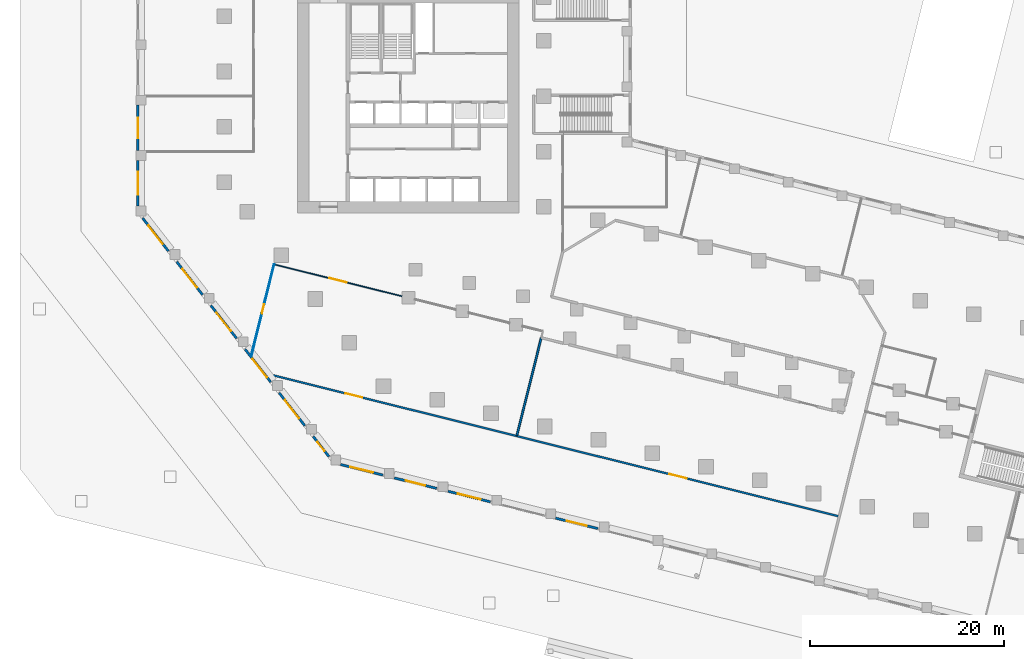
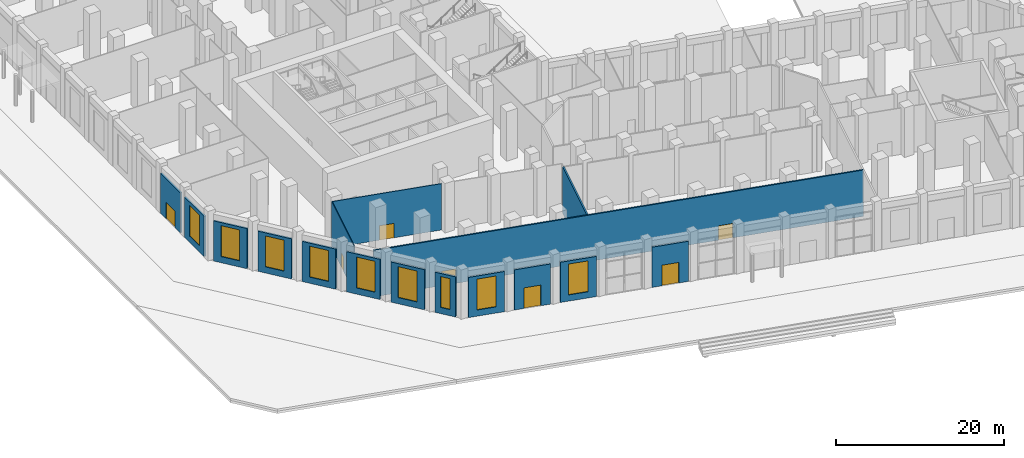
# One storey, part 11 of 27: 16 walls, 9 windows, 7 doors, 16 openings.
"""IFC4 building model written with IfcOpenShell, lengths in metres."""

from ifc_helpers import new_model, si_unit, direction, frame, frame_2d, origin, place, context, subcontext, project, spatial, rectangle, extrude, material, layer, layer_set, type_object, element, fill, save


model = new_model("IFC4")

# Units and contexts
model_context = context("Model", 3, precision=1e-05, world=origin(), true_north=direction((0.0, 1.0)))
body_context = subcontext(model_context, "Body", "Model", "MODEL_VIEW")
ifc_project = project(units=[si_unit("LENGTHUNIT", "METRE"), si_unit("AREAUNIT", "SQUARE_METRE"), si_unit("VOLUMEUNIT", "CUBIC_METRE"), si_unit("PLANEANGLEUNIT", "RADIAN"), si_unit("MASSUNIT", "GRAM", prefix="KILO")], contexts=[model_context])

# Site, building, storey
site_placement = place(None, origin())
site = spatial("IfcSite", under=ifc_project, at=site_placement, CompositionType="ELEMENT")
building_placement = place(site_placement, origin())
building = spatial("IfcBuilding", under=site, at=building_placement, Name="Meshkara Civic Tower", CompositionType="ELEMENT")
storey_placement = place(building_placement, origin())
storey = spatial("IfcBuildingStorey", under=building, at=storey_placement, Name="L00", CompositionType="ELEMENT", Elevation=0.0)

# Wall, opening, door
ifc_material_1 = material(Name="Corridor wall 100")
ifc_layer_1 = layer(ifc_material_1, 0.10009765625)
ifc_layer_set_1 = layer_set([ifc_layer_1], Name="Corridor wall 100")
wall_type_1 = type_object("IfcWallType", Name="Corridor wall 100", PredefinedType="PARTITIONING", material=ifc_layer_set_1)
wall_1_placement = place(storey_placement, frame((3.2626953125, -0.55712890625, 0.0), z_axis=(0.0, 0.0, 1.0), x_axis=(0.241845159871, 0.970314855419, 0.0)))
wall_1 = element("IfcWall", 1, at=wall_1_placement, inside=storey, type_object=wall_type_1, Name="L00-R005", PredefinedType="PARTITIONING", context=body_context, shape_type="SweptSolid", body=[
    extrude(rectangle(XDim=9.65185546875, YDim=0.10009765625, at=frame_2d((4.825927734375, 0.0))), origin(), (0.0, 0.0, 1.0), 6.75),
])
opening_1_placement = place(wall_1_placement, frame((4.443115234375, 0.0, 0.0)))
opening_1 = element("IfcOpeningElement", 2, at=opening_1_placement, cuts=wall_1, Name="Opening L00-P012", PredefinedType="OPENING", context=body_context, shape_type="SweptSolid", body=[
    extrude(rectangle(XDim=1.0, YDim=2.10009765625, at=frame_2d((0.5, 1.050048828125))), frame((0.0, 0.06005859375, 0.0), z_axis=(0.0, -1.0, 0.0), x_axis=(1.0, 0.0, 0.0)), (0.0, 0.0, 1.0), 0.1201171875),
])
ifc_material_2 = material(Name="Door 1000 x 2100")
door_type_1 = type_object("IfcDoorType", Name="Door 1000 x 2100", OperationType="SINGLE_SWING_LEFT", PredefinedType="DOOR", material=ifc_material_2)
door_1_placement = place(opening_1_placement, origin())
door_1 = element("IfcDoor", 3, at=door_1_placement, inside=storey, type_object=door_type_1, Name="L00-P012", OperationType="SINGLE_SWING_RIGHT", OverallHeight=2.10009765625, OverallWidth=1.0, PredefinedType="DOOR", context=body_context, shape_type="SweptSolid", body=[
    extrude(rectangle(XDim=1.0, YDim=2.10009765625, at=frame_2d((0.5, 1.050048828125))), frame((0.0, 0.02490234375, 0.0), z_axis=(0.0, -1.0, 0.0), x_axis=(1.0, 0.0, 0.0)), (0.0, 0.0, 1.0), 0.050048828125),
])
fill(opening_1, door_1)

wall_2_placement = place(storey_placement, frame((5.596923828125, 8.80810546875, 0.0), z_axis=(0.0, 0.0, 1.0), x_axis=(0.97028530919, -0.241963672417, 0.0)))
wall_2 = element("IfcWall", 4, at=wall_2_placement, inside=storey, type_object=wall_type_1, Name="L00-R008", PredefinedType="PARTITIONING", context=body_context, shape_type="SweptSolid", body=[
    extrude(rectangle(XDim=13.559814453125, YDim=0.10009765625, at=frame_2d((6.77978515625, 0.0))), origin(), (0.0, 0.0, 1.0), 6.75),
])
opening_2_placement = place(wall_2_placement, frame((5.8798828125, 0.0, 0.0)))
opening_2 = element("IfcOpeningElement", 5, at=opening_2_placement, cuts=wall_2, Name="Opening L00-P014", PredefinedType="OPENING", context=body_context, shape_type="SweptSolid", body=[
    extrude(rectangle(XDim=1.800048828125, YDim=2.10009765625, at=frame_2d((0.89990234375, 1.050048828125))), frame((0.0, 0.06005859375, 0.0), z_axis=(0.0, -1.0, 0.0), x_axis=(1.0, 0.0, 0.0)), (0.0, 0.0, 1.0), 0.1201171875),
])
ifc_material_3 = material(Name="Door pair 1800 x 2100")
door_type_2 = type_object("IfcDoorType", Name="Door pair 1800 x 2100", OperationType="SINGLE_SWING_LEFT", PredefinedType="DOOR", material=ifc_material_3)
door_2_placement = place(opening_2_placement, origin())
door_2 = element("IfcDoor", 6, at=door_2_placement, inside=storey, type_object=door_type_2, Name="L00-P014", OperationType="DOUBLE_DOOR_SINGLE_SWING", OverallHeight=2.10009765625, OverallWidth=1.800048828125, PredefinedType="DOOR", context=body_context, shape_type="SweptSolid", body=[
    extrude(rectangle(XDim=1.800048828125, YDim=2.10009765625, at=frame_2d((0.89990234375, 1.050048828125))), frame((0.0, 0.02490234375, 0.0), z_axis=(0.0, -1.0, 0.0), x_axis=(1.0, 0.0, 0.0)), (0.0, 0.0, 1.0), 0.050048828125),
])
fill(opening_2, door_2)

# Wall, openings, doors
ifc_material_4 = material(Name="Fire-rated wall 200")
ifc_layer_2 = layer(ifc_material_4, 0.199951171875)
ifc_layer_set_2 = layer_set([ifc_layer_2], Name="Fire-rated wall 200")
wall_type_2 = type_object("IfcWallType", Name="Fire-rated wall 200", PredefinedType="PARTITIONING", material=ifc_layer_set_2)
wall_3_placement = place(storey_placement, frame((4.7900390625, -2.430908203125, 0.0), z_axis=(0.0, 0.0, 1.0), x_axis=(0.970295457836, -0.241922972253, 0.0)))
wall_3 = element("IfcWall", 7, at=wall_3_placement, inside=storey, type_object=wall_type_2, Name="L00-R086", PredefinedType="PARTITIONING", context=body_context, shape_type="SweptSolid", body=[
    extrude(rectangle(XDim=60.763916015625, YDim=0.199951171875, at=frame_2d((30.3818359375, 0.0))), origin(), (0.0, 0.0, 1.0), 6.75),
])
opening_3_placement = place(wall_3_placement, frame((42.763916015625, 0.0, 0.0)))
opening_3 = element("IfcOpeningElement", 8, at=opening_3_placement, cuts=wall_3, Name="Opening L00-P002", PredefinedType="OPENING", context=body_context, shape_type="SweptSolid", body=[
    extrude(rectangle(XDim=1.800048828125, YDim=2.10009765625, at=frame_2d((0.89990234375, 1.050048828125))), frame((0.0, 0.10986328125, 0.0), z_axis=(0.0, -1.0, 0.0), x_axis=(1.0, 0.0, 0.0)), (0.0, 0.0, 1.0), 0.219970703125),
])
opening_4_placement = place(wall_3_placement, frame((8.39697265625, 0.0, 0.0)))
opening_4 = element("IfcOpeningElement", 9, at=opening_4_placement, cuts=wall_3, Name="Opening L00-P007", PredefinedType="OPENING", context=body_context, shape_type="SweptSolid", body=[
    extrude(rectangle(XDim=1.800048828125, YDim=2.10009765625, at=frame_2d((0.89990234375, 1.050048828125))), frame((0.0, 0.10986328125, 0.0), z_axis=(0.0, -1.0, 0.0), x_axis=(1.0, 0.0, 0.0)), (0.0, 0.0, 1.0), 0.219970703125),
])
door_3_placement = place(opening_3_placement, origin())
door_3 = element("IfcDoor", 10, at=door_3_placement, inside=storey, type_object=door_type_2, Name="L00-P002", OperationType="DOUBLE_DOOR_SINGLE_SWING", OverallHeight=2.10009765625, OverallWidth=1.800048828125, PredefinedType="DOOR", context=body_context, shape_type="SweptSolid", body=[
    extrude(rectangle(XDim=1.800048828125, YDim=2.10009765625, at=frame_2d((0.89990234375, 1.050048828125))), frame((0.0, 0.02490234375, 0.0), z_axis=(0.0, -1.0, 0.0), x_axis=(1.0, 0.0, 0.0)), (0.0, 0.0, 1.0), 0.050048828125),
])
fill(opening_3, door_3)
door_4_placement = place(opening_4_placement, origin())
door_4 = element("IfcDoor", 11, at=door_4_placement, inside=storey, type_object=door_type_2, Name="L00-P007", OperationType="DOUBLE_DOOR_SINGLE_SWING", OverallHeight=2.10009765625, OverallWidth=1.800048828125, PredefinedType="DOOR", context=body_context, shape_type="SweptSolid", body=[
    extrude(rectangle(XDim=1.800048828125, YDim=2.10009765625, at=frame_2d((0.89990234375, 1.050048828125))), frame((0.0, 0.02490234375, 0.0), z_axis=(0.0, -1.0, 0.0), x_axis=(1.0, 0.0, 0.0)), (0.0, 0.0, 1.0), 0.050048828125),
])
fill(opening_4, door_4)

# Wall
wall_4_placement = place(storey_placement, frame((33.089111328125, 1.26611328125, 0.0), z_axis=(0.0, 0.0, 1.0), x_axis=(-0.241960178305, -0.970286180523, 0.0)))
element("IfcWall", 12, at=wall_4_placement, inside=storey, type_object=wall_type_2, Name="L00-R100", PredefinedType="PARTITIONING", context=body_context, shape_type="SweptSolid", body=[
    extrude(rectangle(XDim=10.3828125, YDim=0.199951171875, at=frame_2d((5.19140625, 0.0))), origin(), (0.0, 0.0, 1.0), 6.75),
])

# Wall, opening, door
ifc_material_5 = material(Name="Stone cladding on insulated backing wall", Category="masonry")
ifc_layer_3 = layer(ifc_material_5, 0.25)
ifc_layer_set_3 = layer_set([ifc_layer_3], Name="PODIUM STONE WALL 250")
wall_type_3 = type_object("IfcWallType", Name="PODIUM STONE WALL 250", PredefinedType="SOLIDWALL", material=ifc_layer_set_3)
wall_5_placement = place(storey_placement, frame((-8.425048828125, 25.2109375, 0.0), z_axis=(0.0, 0.0, 1.0), x_axis=(0.0, -1.0, 0.0)))
wall_5 = element("IfcWall", 13, at=wall_5_placement, inside=storey, type_object=wall_type_3, Name="Podium external wall", PredefinedType="SOLIDWALL", context=body_context, shape_type="SweptSolid", body=[
    extrude(rectangle(XDim=4.699951171875, YDim=0.25, at=frame_2d((2.35009765625, 0.0))), origin(), (0.0, 0.0, 1.0), 5.85009765625),
])
opening_5_placement = place(wall_5_placement, frame((1.300048828125, 0.0, 0.0)))
opening_5 = element("IfcOpeningElement", 14, at=opening_5_placement, cuts=wall_5, Name="Opening L00-G008", PredefinedType="OPENING", context=body_context, shape_type="SweptSolid", body=[
    extrude(rectangle(XDim=2.10009765625, YDim=2.39990234375, at=frame_2d((1.050048828125, 1.199951171875))), frame((0.0, 0.135009765625, 0.0), z_axis=(0.0, -1.0, 0.0), x_axis=(1.0, 0.0, 0.0)), (0.0, 0.0, 1.0), 0.27001953125),
])
ifc_material_6 = material(Name="Steel S355", Category="steel")
door_type_3 = type_object("IfcDoorType", Name="EXIT DOOR PAIR 2100x2400", OperationType="DOUBLE_DOOR_DOUBLE_SWING", PredefinedType="DOOR", material=ifc_material_6)
door_5_placement = place(opening_5_placement, origin())
door_5 = element("IfcDoor", 15, at=door_5_placement, inside=storey, type_object=door_type_3, Name="L00-G008", OperationType="DOUBLE_DOOR_DOUBLE_SWING", OverallHeight=2.39990234375, OverallWidth=2.10009765625, PredefinedType="DOOR", context=body_context, shape_type="SweptSolid", body=[
    extrude(rectangle(XDim=2.10009765625, YDim=2.39990234375, at=frame_2d((1.050048828125, 1.199951171875))), frame((0.0, 0.02490234375, 0.0), z_axis=(0.0, -1.0, 0.0), x_axis=(1.0, 0.0, 0.0)), (0.0, 0.0, 1.0), 0.050048828125),
])
fill(opening_5, door_5)

# Wall, opening, window
wall_6_placement = place(storey_placement, frame((-8.425048828125, 19.510986328125, 0.0), z_axis=(0.0, 0.0, 1.0), x_axis=(0.0, -1.0, 0.0)))
wall_6 = element("IfcWall", 16, at=wall_6_placement, inside=storey, type_object=wall_type_3, Name="Podium external wall", PredefinedType="SOLIDWALL", context=body_context, shape_type="SweptSolid", body=[
    extrude(rectangle(XDim=4.699951171875, YDim=0.25, at=frame_2d((2.35009765625, 0.0))), origin(), (0.0, 0.0, 1.0), 5.85009765625),
])
opening_6_placement = place(wall_6_placement, frame((1.14990234375, 0.0, 0.89990234375)))
opening_6 = element("IfcOpeningElement", 17, at=opening_6_placement, cuts=wall_6, Name="Opening PW1", PredefinedType="OPENING", context=body_context, shape_type="SweptSolid", body=[
    extrude(rectangle(XDim=2.39990234375, YDim=4.5, at=frame_2d((1.199951171875, 2.25))), frame((0.0, 0.135009765625, 0.0), z_axis=(0.0, -1.0, 0.0), x_axis=(1.0, 0.0, 0.0)), (0.0, 0.0, 1.0), 0.27001953125),
])
ifc_material_7 = material(Name="Tinted double glazing", Category="glass")
window_type_1 = type_object("IfcWindowType", Name="PODIUM WINDOW 2400x4500", PartitioningType="DOUBLE_PANEL_VERTICAL", PredefinedType="WINDOW", material=ifc_material_7)
window_1_placement = place(opening_6_placement, origin())
window_1 = element("IfcWindow", 18, at=window_1_placement, inside=storey, type_object=window_type_1, Name="Podium window", OverallHeight=4.5, OverallWidth=2.39990234375, PartitioningType="DOUBLE_PANEL_VERTICAL", PredefinedType="WINDOW", context=body_context, shape_type="SweptSolid", body=[
    extrude(rectangle(XDim=2.39990234375, YDim=4.5, at=frame_2d((1.199951171875, 2.25))), frame((0.0, 0.030029296875, 0.0), z_axis=(0.0, -1.0, 0.0), x_axis=(1.0, 0.0, 0.0)), (0.0, 0.0, 1.0), 0.06005859375),
])
fill(opening_6, window_1)

wall_7_placement = place(storey_placement, frame((-7.924072265625, 13.55810546875, 0.0), z_axis=(0.0, 0.0, 1.0), x_axis=(0.615603242749, -0.788056246417, 0.0)))
wall_7 = element("IfcWall", 19, at=wall_7_placement, inside=storey, type_object=wall_type_3, Name="Podium external wall", PredefinedType="SOLIDWALL", context=body_context, shape_type="SweptSolid", body=[
    extrude(rectangle(XDim=4.296630859375, YDim=0.25, at=frame_2d((2.1484375, 0.0))), origin(), (0.0, 0.0, 1.0), 5.85009765625),
])
opening_7_placement = place(wall_7_placement, frame((0.947998046875, 0.0, 0.89990234375)))
opening_7 = element("IfcOpeningElement", 20, at=opening_7_placement, cuts=wall_7, Name="Opening PW1", PredefinedType="OPENING", context=body_context, shape_type="SweptSolid", body=[
    extrude(rectangle(XDim=2.39990234375, YDim=4.5, at=frame_2d((1.199951171875, 2.25))), frame((0.0, 0.135009765625, 0.0), z_axis=(0.0, -1.0, 0.0), x_axis=(1.0, 0.0, 0.0)), (0.0, 0.0, 1.0), 0.27001953125),
])
window_2_placement = place(opening_7_placement, origin())
window_2 = element("IfcWindow", 21, at=window_2_placement, inside=storey, type_object=window_type_1, Name="Podium window", OverallHeight=4.5, OverallWidth=2.39990234375, PartitioningType="DOUBLE_PANEL_VERTICAL", PredefinedType="WINDOW", context=body_context, shape_type="SweptSolid", body=[
    extrude(rectangle(XDim=2.39990234375, YDim=4.5, at=frame_2d((1.199951171875, 2.25))), frame((0.0, 0.030029296875, 0.0), z_axis=(0.0, -1.0, 0.0), x_axis=(1.0, 0.0, 0.0)), (0.0, 0.0, 1.0), 0.06005859375),
])
fill(opening_7, window_2)

wall_8_placement = place(storey_placement, frame((-4.4150390625, 9.06591796875, 0.0), z_axis=(0.0, 0.0, 1.0), x_axis=(0.615713519567, -0.787970089421, 0.0)))
wall_8 = element("IfcWall", 22, at=wall_8_placement, inside=storey, type_object=wall_type_3, Name="Podium external wall", PredefinedType="SOLIDWALL", context=body_context, shape_type="SweptSolid", body=[
    extrude(rectangle(XDim=4.2958984375, YDim=0.25, at=frame_2d((2.14794921875, 0.0))), origin(), (0.0, 0.0, 1.0), 5.85009765625),
])
opening_8_placement = place(wall_8_placement, frame((0.947998046875, 0.0, 0.89990234375)))
opening_8 = element("IfcOpeningElement", 23, at=opening_8_placement, cuts=wall_8, Name="Opening PW1", PredefinedType="OPENING", context=body_context, shape_type="SweptSolid", body=[
    extrude(rectangle(XDim=2.39990234375, YDim=4.5, at=frame_2d((1.199951171875, 2.25))), frame((0.0, 0.135009765625, 0.0), z_axis=(0.0, -1.0, 0.0), x_axis=(1.0, 0.0, 0.0)), (0.0, 0.0, 1.0), 0.27001953125),
])
window_3_placement = place(opening_8_placement, origin())
window_3 = element("IfcWindow", 24, at=window_3_placement, inside=storey, type_object=window_type_1, Name="Podium window", OverallHeight=4.5, OverallWidth=2.39990234375, PartitioningType="DOUBLE_PANEL_VERTICAL", PredefinedType="WINDOW", context=body_context, shape_type="SweptSolid", body=[
    extrude(rectangle(XDim=2.39990234375, YDim=4.5, at=frame_2d((1.199951171875, 2.25))), frame((0.0, 0.030029296875, 0.0), z_axis=(0.0, -1.0, 0.0), x_axis=(1.0, 0.0, 0.0)), (0.0, 0.0, 1.0), 0.06005859375),
])
fill(opening_8, window_3)

wall_9_placement = place(storey_placement, frame((-0.906005859375, 4.574951171875, 0.0), z_axis=(0.0, 0.0, 1.0), x_axis=(0.61574436495, -0.787945986113, 0.0)))
wall_9 = element("IfcWall", 25, at=wall_9_placement, inside=storey, type_object=wall_type_3, Name="Podium external wall", PredefinedType="SOLIDWALL", context=body_context, shape_type="SweptSolid", body=[
    extrude(rectangle(XDim=4.297119140625, YDim=0.25, at=frame_2d((2.1484375, 0.0))), origin(), (0.0, 0.0, 1.0), 5.85009765625),
])
opening_9_placement = place(wall_9_placement, frame((0.948974609375, 0.0, 0.89990234375)))
opening_9 = element("IfcOpeningElement", 26, at=opening_9_placement, cuts=wall_9, Name="Opening PW1", PredefinedType="OPENING", context=body_context, shape_type="SweptSolid", body=[
    extrude(rectangle(XDim=2.39990234375, YDim=4.5, at=frame_2d((1.199951171875, 2.25))), frame((0.0, 0.135009765625, 0.0), z_axis=(0.0, -1.0, 0.0), x_axis=(1.0, 0.0, 0.0)), (0.0, 0.0, 1.0), 0.27001953125),
])
window_4_placement = place(opening_9_placement, origin())
window_4 = element("IfcWindow", 27, at=window_4_placement, inside=storey, type_object=window_type_1, Name="Podium window", OverallHeight=4.5, OverallWidth=2.39990234375, PartitioningType="DOUBLE_PANEL_VERTICAL", PredefinedType="WINDOW", context=body_context, shape_type="SweptSolid", body=[
    extrude(rectangle(XDim=2.39990234375, YDim=4.5, at=frame_2d((1.199951171875, 2.25))), frame((0.0, 0.030029296875, 0.0), z_axis=(0.0, -1.0, 0.0), x_axis=(1.0, 0.0, 0.0)), (0.0, 0.0, 1.0), 0.06005859375),
])
fill(opening_9, window_4)

wall_10_placement = place(storey_placement, frame((2.60400390625, 0.0830078125, 0.0), z_axis=(0.0, 0.0, 1.0), x_axis=(0.615603242749, -0.788056246417, 0.0)))
wall_10 = element("IfcWall", 28, at=wall_10_placement, inside=storey, type_object=wall_type_3, Name="Podium external wall", PredefinedType="SOLIDWALL", context=body_context, shape_type="SweptSolid", body=[
    extrude(rectangle(XDim=4.296630859375, YDim=0.25, at=frame_2d((2.1484375, 0.0))), origin(), (0.0, 0.0, 1.0), 5.85009765625),
])
opening_10_placement = place(wall_10_placement, frame((1.283935546875, 0.0, 0.89990234375)))
opening_10 = element("IfcOpeningElement", 29, at=opening_10_placement, cuts=wall_10, Name="Opening PW1", PredefinedType="OPENING", context=body_context, shape_type="SweptSolid", body=[
    extrude(rectangle(XDim=2.39990234375, YDim=4.5, at=frame_2d((1.199951171875, 2.25))), frame((0.0, 0.135009765625, 0.0), z_axis=(0.0, -1.0, 0.0), x_axis=(1.0, 0.0, 0.0)), (0.0, 0.0, 1.0), 0.27001953125),
])
window_5_placement = place(opening_10_placement, origin())
window_5 = element("IfcWindow", 30, at=window_5_placement, inside=storey, type_object=window_type_1, Name="Podium window", OverallHeight=4.5, OverallWidth=2.39990234375, PartitioningType="DOUBLE_PANEL_VERTICAL", PredefinedType="WINDOW", context=body_context, shape_type="SweptSolid", body=[
    extrude(rectangle(XDim=2.39990234375, YDim=4.5, at=frame_2d((1.199951171875, 2.25))), frame((0.0, 0.030029296875, 0.0), z_axis=(0.0, -1.0, 0.0), x_axis=(1.0, 0.0, 0.0)), (0.0, 0.0, 1.0), 0.06005859375),
])
fill(opening_10, window_5)

wall_11_placement = place(storey_placement, frame((6.113037109375, -4.408935546875, 0.0), z_axis=(0.0, 0.0, 1.0), x_axis=(0.615603242749, -0.788056246417, 0.0)))
wall_11 = element("IfcWall", 31, at=wall_11_placement, inside=storey, type_object=wall_type_3, Name="Podium external wall", PredefinedType="SOLIDWALL", context=body_context, shape_type="SweptSolid", body=[
    extrude(rectangle(XDim=4.296630859375, YDim=0.25, at=frame_2d((2.1484375, 0.0))), origin(), (0.0, 0.0, 1.0), 5.85009765625),
])
opening_11_placement = place(wall_11_placement, frame((0.947998046875, 0.0, 0.89990234375)))
opening_11 = element("IfcOpeningElement", 32, at=opening_11_placement, cuts=wall_11, Name="Opening PW1", PredefinedType="OPENING", context=body_context, shape_type="SweptSolid", body=[
    extrude(rectangle(XDim=2.39990234375, YDim=4.5, at=frame_2d((1.199951171875, 2.25))), frame((0.0, 0.135009765625, 0.0), z_axis=(0.0, -1.0, 0.0), x_axis=(1.0, 0.0, 0.0)), (0.0, 0.0, 1.0), 0.27001953125),
])
window_6_placement = place(opening_11_placement, origin())
window_6 = element("IfcWindow", 33, at=window_6_placement, inside=storey, type_object=window_type_1, Name="Podium window", OverallHeight=4.5, OverallWidth=2.39990234375, PartitioningType="DOUBLE_PANEL_VERTICAL", PredefinedType="WINDOW", context=body_context, shape_type="SweptSolid", body=[
    extrude(rectangle(XDim=2.39990234375, YDim=4.5, at=frame_2d((1.199951171875, 2.25))), frame((0.0, 0.030029296875, 0.0), z_axis=(0.0, -1.0, 0.0), x_axis=(1.0, 0.0, 0.0)), (0.0, 0.0, 1.0), 0.06005859375),
])
fill(opening_11, window_6)

wall_12_placement = place(storey_placement, frame((9.6220703125, -8.90087890625, 0.0), z_axis=(0.0, 0.0, 1.0), x_axis=(0.615703609525, -0.787977832948, 0.0)))
wall_12 = element("IfcWall", 34, at=wall_12_placement, inside=storey, type_object=wall_type_3, Name="Podium external wall", PredefinedType="SOLIDWALL", context=body_context, shape_type="SweptSolid", body=[
    extrude(rectangle(XDim=2.62451171875, YDim=0.25, at=frame_2d((1.312255859375, 0.0))), origin(), (0.0, 0.0, 1.0), 5.85009765625),
])
opening_12_placement = place(wall_12_placement, frame((0.7119140625, 0.0, 0.89990234375)))
opening_12 = element("IfcOpeningElement", 35, at=opening_12_placement, cuts=wall_12, Name="Opening PW3", PredefinedType="OPENING", context=body_context, shape_type="SweptSolid", body=[
    extrude(rectangle(XDim=1.199951171875, YDim=4.5, at=frame_2d((0.60009765625, 2.25))), frame((0.0, 0.135009765625, 0.0), z_axis=(0.0, -1.0, 0.0), x_axis=(1.0, 0.0, 0.0)), (0.0, 0.0, 1.0), 0.27001953125),
])
ifc_material_8 = material(Name="Tinted double glazing", Category="glass")
window_type_2 = type_object("IfcWindowType", Name="PODIUM WINDOW 1200x4500", PartitioningType="SINGLE_PANEL", PredefinedType="WINDOW", material=ifc_material_8)
window_7_placement = place(opening_12_placement, origin())
window_7 = element("IfcWindow", 36, at=window_7_placement, inside=storey, type_object=window_type_2, Name="Podium window", OverallHeight=4.5, OverallWidth=1.199951171875, PartitioningType="SINGLE_PANEL", PredefinedType="WINDOW", context=body_context, shape_type="SweptSolid", body=[
    extrude(rectangle(XDim=1.199951171875, YDim=4.5, at=frame_2d((0.60009765625, 2.25))), frame((0.0, 0.030029296875, 0.0), z_axis=(0.0, -1.0, 0.0), x_axis=(1.0, 0.0, 0.0)), (0.0, 0.0, 1.0), 0.06005859375),
])
fill(opening_12, window_7)

wall_13_placement = place(storey_placement, frame((12.43603515625, -11.783935546875, 0.0), z_axis=(0.0, 0.0, 1.0), x_axis=(0.970263990019, -0.242049147224, 0.0)))
wall_13 = element("IfcWall", 37, at=wall_13_placement, inside=storey, type_object=wall_type_3, Name="Podium external wall", PredefinedType="SOLIDWALL", context=body_context, shape_type="SweptSolid", body=[
    extrude(rectangle(XDim=4.487548828125, YDim=0.25, at=frame_2d((2.24365234375, 0.0))), origin(), (0.0, 0.0, 1.0), 5.85009765625),
])
opening_13_placement = place(wall_13_placement, frame((1.0439453125, 0.0, 0.89990234375)))
opening_13 = element("IfcOpeningElement", 38, at=opening_13_placement, cuts=wall_13, Name="Opening PW1", PredefinedType="OPENING", context=body_context, shape_type="SweptSolid", body=[
    extrude(rectangle(XDim=2.39990234375, YDim=4.5, at=frame_2d((1.199951171875, 2.25))), frame((0.0, 0.135009765625, 0.0), z_axis=(0.0, -1.0, 0.0), x_axis=(1.0, 0.0, 0.0)), (0.0, 0.0, 1.0), 0.27001953125),
])
window_8_placement = place(opening_13_placement, origin())
window_8 = element("IfcWindow", 39, at=window_8_placement, inside=storey, type_object=window_type_1, Name="Podium window", OverallHeight=4.5, OverallWidth=2.39990234375, PartitioningType="DOUBLE_PANEL_VERTICAL", PredefinedType="WINDOW", context=body_context, shape_type="SweptSolid", body=[
    extrude(rectangle(XDim=2.39990234375, YDim=4.5, at=frame_2d((1.199951171875, 2.25))), frame((0.0, 0.030029296875, 0.0), z_axis=(0.0, -1.0, 0.0), x_axis=(1.0, 0.0, 0.0)), (0.0, 0.0, 1.0), 0.06005859375),
])
fill(opening_13, window_8)

# Wall, opening, door
wall_14_placement = place(storey_placement, frame((17.967041015625, -13.1630859375, 0.0), z_axis=(0.0, 0.0, 1.0), x_axis=(0.970315118421, -0.24184410467, 0.0)))
wall_14 = element("IfcWall", 40, at=wall_14_placement, inside=storey, type_object=wall_type_3, Name="Podium external wall", PredefinedType="SOLIDWALL", context=body_context, shape_type="SweptSolid", body=[
    extrude(rectangle(XDim=4.486083984375, YDim=0.25, at=frame_2d((2.2431640625, 0.0))), origin(), (0.0, 0.0, 1.0), 5.85009765625),
])
opening_14_placement = place(wall_14_placement, frame((1.194091796875, 0.0, 0.0)))
opening_14 = element("IfcOpeningElement", 41, at=opening_14_placement, cuts=wall_14, Name="Opening L00-G009", PredefinedType="OPENING", context=body_context, shape_type="SweptSolid", body=[
    extrude(rectangle(XDim=2.10009765625, YDim=3.0, at=frame_2d((1.050048828125, 1.5))), frame((0.0, 0.135009765625, 0.0), z_axis=(0.0, -1.0, 0.0), x_axis=(1.0, 0.0, 0.0)), (0.0, 0.0, 1.0), 0.27001953125),
])
ifc_material_9 = material(Name="Bronze anodised aluminium", Category="aluminium")
door_type_4 = type_object("IfcDoorType", Name="HALL EXIT DOOR 2100x3000", OperationType="DOUBLE_DOOR_DOUBLE_SWING", PredefinedType="DOOR", material=ifc_material_9)
door_6_placement = place(opening_14_placement, origin())
door_6 = element("IfcDoor", 42, at=door_6_placement, inside=storey, type_object=door_type_4, Name="L00-G009", OperationType="DOUBLE_DOOR_DOUBLE_SWING", OverallHeight=3.0, OverallWidth=2.10009765625, PredefinedType="DOOR", context=body_context, shape_type="SweptSolid", body=[
    extrude(rectangle(XDim=2.10009765625, YDim=3.0, at=frame_2d((1.050048828125, 1.5))), frame((0.0, 0.02490234375, 0.0), z_axis=(0.0, -1.0, 0.0), x_axis=(1.0, 0.0, 0.0)), (0.0, 0.0, 1.0), 0.050048828125),
])
fill(opening_14, door_6)

# Wall, opening, window
wall_15_placement = place(storey_placement, frame((23.4970703125, -14.5419921875, 0.0), z_axis=(0.0, 0.0, 1.0), x_axis=(0.970327846266, -0.241793032904, 0.0)))
wall_15 = element("IfcWall", 43, at=wall_15_placement, inside=storey, type_object=wall_type_3, Name="Podium external wall", PredefinedType="SOLIDWALL", context=body_context, shape_type="SweptSolid", body=[
    extrude(rectangle(XDim=4.487060546875, YDim=0.25, at=frame_2d((2.24365234375, 0.0))), origin(), (0.0, 0.0, 1.0), 5.85009765625),
])
opening_15_placement = place(wall_15_placement, frame((1.0439453125, 0.0, 0.89990234375)))
opening_15 = element("IfcOpeningElement", 44, at=opening_15_placement, cuts=wall_15, Name="Opening PW1", PredefinedType="OPENING", context=body_context, shape_type="SweptSolid", body=[
    extrude(rectangle(XDim=2.39990234375, YDim=4.5, at=frame_2d((1.199951171875, 2.25))), frame((0.0, 0.135009765625, 0.0), z_axis=(0.0, -1.0, 0.0), x_axis=(1.0, 0.0, 0.0)), (0.0, 0.0, 1.0), 0.27001953125),
])
window_9_placement = place(opening_15_placement, origin())
window_9 = element("IfcWindow", 45, at=window_9_placement, inside=storey, type_object=window_type_1, Name="Podium window", OverallHeight=4.5, OverallWidth=2.39990234375, PartitioningType="DOUBLE_PANEL_VERTICAL", PredefinedType="WINDOW", context=body_context, shape_type="SweptSolid", body=[
    extrude(rectangle(XDim=2.39990234375, YDim=4.5, at=frame_2d((1.199951171875, 2.25))), frame((0.0, 0.030029296875, 0.0), z_axis=(0.0, -1.0, 0.0), x_axis=(1.0, 0.0, 0.0)), (0.0, 0.0, 1.0), 0.06005859375),
])
fill(opening_15, window_9)

# Wall, opening, door
wall_16_placement = place(storey_placement, frame((34.55908203125, -17.300048828125, 0.0), z_axis=(0.0, 0.0, 1.0), x_axis=(0.970327846266, -0.241793032904, 0.0)))
wall_16 = element("IfcWall", 46, at=wall_16_placement, inside=storey, type_object=wall_type_3, Name="Podium external wall", PredefinedType="SOLIDWALL", context=body_context, shape_type="SweptSolid", body=[
    extrude(rectangle(XDim=4.487060546875, YDim=0.25, at=frame_2d((2.24365234375, 0.0))), origin(), (0.0, 0.0, 1.0), 5.85009765625),
])
opening_16_placement = place(wall_16_placement, frame((1.194091796875, 0.0, 0.0)))
opening_16 = element("IfcOpeningElement", 47, at=opening_16_placement, cuts=wall_16, Name="Opening L00-G010", PredefinedType="OPENING", context=body_context, shape_type="SweptSolid", body=[
    extrude(rectangle(XDim=2.10009765625, YDim=3.0, at=frame_2d((1.050048828125, 1.5))), frame((0.0, 0.135009765625, 0.0), z_axis=(0.0, -1.0, 0.0), x_axis=(1.0, 0.0, 0.0)), (0.0, 0.0, 1.0), 0.27001953125),
])
door_7_placement = place(opening_16_placement, origin())
door_7 = element("IfcDoor", 48, at=door_7_placement, inside=storey, type_object=door_type_4, Name="L00-G010", OperationType="DOUBLE_DOOR_DOUBLE_SWING", OverallHeight=3.0, OverallWidth=2.10009765625, PredefinedType="DOOR", context=body_context, shape_type="SweptSolid", body=[
    extrude(rectangle(XDim=2.10009765625, YDim=3.0, at=frame_2d((1.050048828125, 1.5))), frame((0.0, 0.02490234375, 0.0), z_axis=(0.0, -1.0, 0.0), x_axis=(1.0, 0.0, 0.0)), (0.0, 0.0, 1.0), 0.050048828125),
])
fill(opening_16, door_7)

save(model, "model.ifc")
